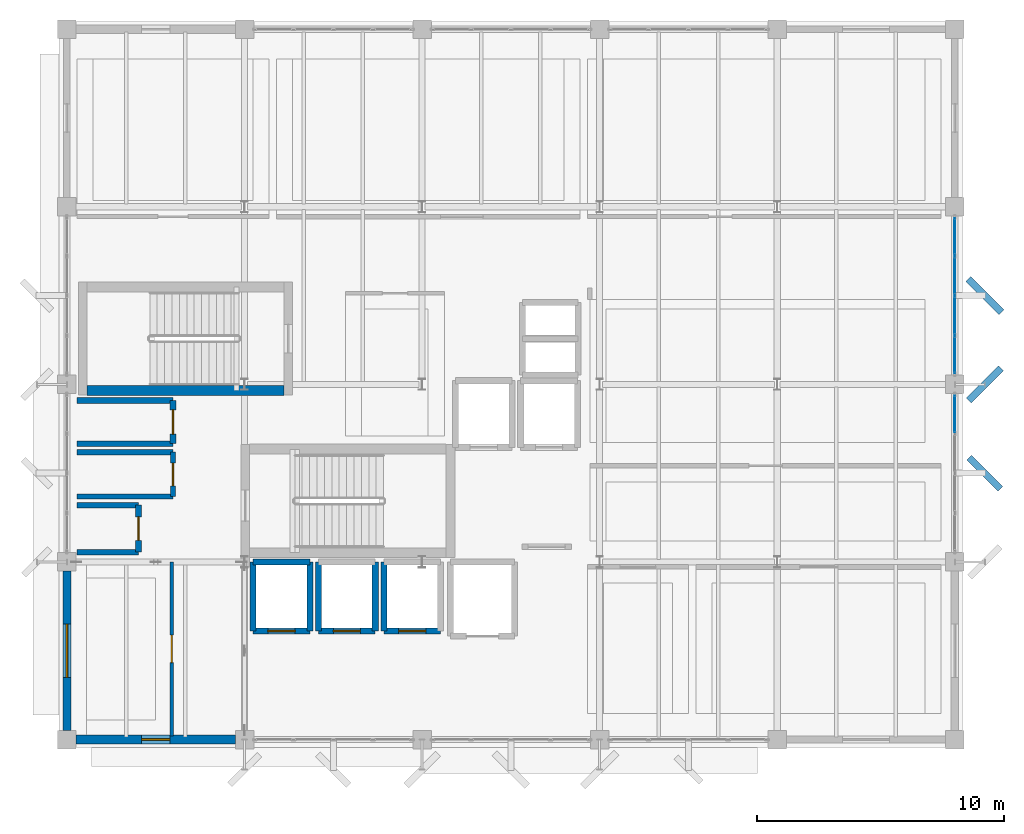
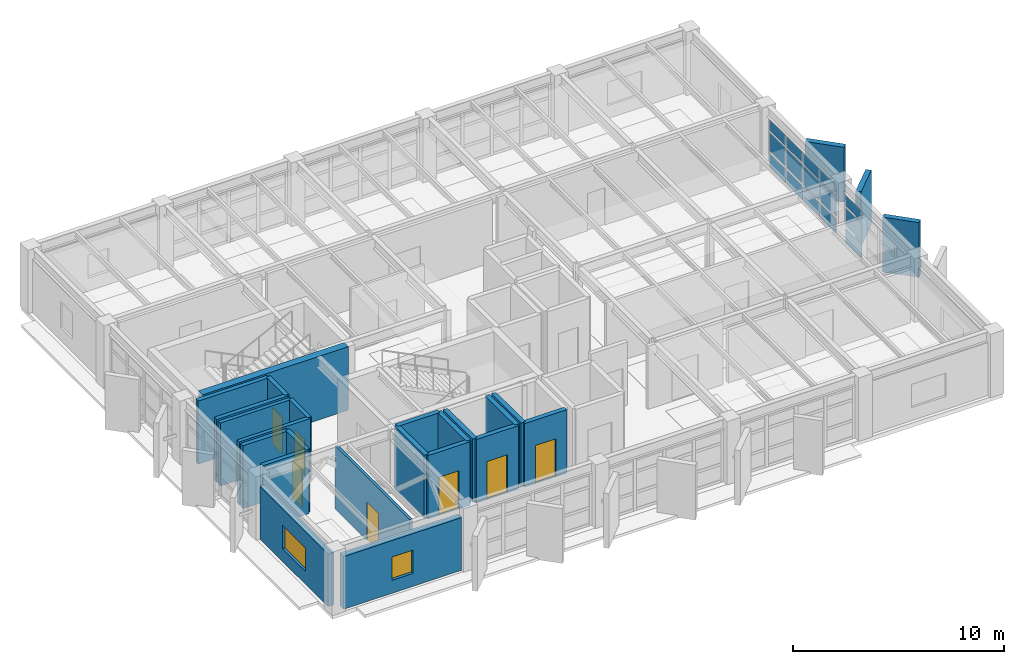
# One storey, part 16 of 24: 22 walls, 18 plates, 7 doors, 2 windows, 9 openings, 2 elements without a shape of their own.
"""IFC4 building model written with IfcOpenShell, lengths in metres."""

from ifc_helpers import new_model, si_unit, direction, frame, frame_2d, origin, origin_2d, place, context, subcontext, project, spatial, rectangle, extrude, material, layer, layer_set, type_object, element, fill, aggregate, save


model = new_model("IFC4")

# Units and contexts
model_context = context("Model", 3, precision=1e-05, world=origin(), true_north=direction((0.0, 1.0)))
body_context = subcontext(model_context, "Body", "Model", "MODEL_VIEW")
ifc_project = project(units=[si_unit("LENGTHUNIT", "METRE"), si_unit("AREAUNIT", "SQUARE_METRE"), si_unit("VOLUMEUNIT", "CUBIC_METRE"), si_unit("PLANEANGLEUNIT", "RADIAN"), si_unit("MASSUNIT", "GRAM", prefix="KILO")], contexts=[model_context])

# Site, building, storey
site_placement = place(None, origin())
site = spatial("IfcSite", under=ifc_project, at=site_placement, CompositionType="ELEMENT")
building_placement = place(site_placement, origin())
building = spatial("IfcBuilding", under=site, at=building_placement, Name="Kandorven Conservatory and Botanical Research Centre", CompositionType="ELEMENT")
storey_placement = place(building_placement, frame((0.0, 0.0, 21.0)))
storey = spatial("IfcBuildingStorey", under=building, at=storey_placement, Name="L05", CompositionType="ELEMENT", Elevation=21.0)

# Curtain wall, plates
ifc_material_1 = material(Name="Bronze anodised thermally broken aluminium", Category="aluminium")
ifc_layer_1 = layer(ifc_material_1, 0.179931640625)
ifc_layer_set_1 = layer_set([ifc_layer_1], Name="Bronze anodised thermally broken aluminium")
curtain_wall_type = type_object("IfcCurtainWallType", Name="CW_Unitised", PredefinedType="USERDEFINED", material=ifc_layer_set_1)
curtain_wall_1_placement = place(storey_placement, origin())
curtain_wall_1 = element("IfcCurtainWall", 1, at=curtain_wall_1_placement, inside=storey, type_object=curtain_wall_type, Name="Tower laboratory curtain wall CW-TWR-E-L05-2", ObjectType="UNITISED GLAZING", PredefinedType="USERDEFINED")
ifc_material_2 = material(Name="Double-glazed solar-control low-E glass", Category="glass")
ifc_layer_2 = layer(ifc_material_2, 0.028076171875)
ifc_layer_set_2 = layer_set([ifc_layer_2], Name="Double-glazed solar-control low-E glass")
plate_type_1 = type_object("IfcPlateType", Name="CW_Panel", PredefinedType="CURTAIN_PANEL", material=ifc_layer_set_2)
plate_1_placement = place(storey_placement, frame((42.0, 19.19873046875, 0.14990234375), z_axis=(0.0, 0.0, 1.0), x_axis=(0.0, 1.0, 0.0)))
plate_1 = element("IfcPlate", 2, at=plate_1_placement, type_object=plate_type_1, Name="CW-01 panel 4.1", PredefinedType="CURTAIN_PANEL", context=body_context, shape_type="SweptSolid", body=[
    extrude(rectangle(XDim=1.492431640625, YDim=0.028076171875, at=origin_2d()), origin(), (0.0, 0.0, 1.0), 0.824951171875),
])
plate_2_placement = place(storey_placement, frame((42.0, 19.19873046875, 1.125), z_axis=(0.0, 0.0, 1.0), x_axis=(0.0, 1.0, 0.0)))
plate_2 = element("IfcPlate", 3, at=plate_2_placement, type_object=plate_type_1, Name="CW-01 panel 4.2", PredefinedType="CURTAIN_PANEL", context=body_context, shape_type="SweptSolid", body=[
    extrude(rectangle(XDim=1.492431640625, YDim=0.028076171875, at=origin_2d()), origin(), (0.0, 0.0, 1.0), 1.050048828125),
])
plate_3_placement = place(storey_placement, frame((42.0, 19.19873046875, 2.3251953125), z_axis=(0.0, 0.0, 1.0), x_axis=(0.0, 1.0, 0.0)))
plate_3 = element("IfcPlate", 4, at=plate_3_placement, type_object=plate_type_1, Name="CW-01 panel 4.3", PredefinedType="CURTAIN_PANEL", context=body_context, shape_type="SweptSolid", body=[
    extrude(rectangle(XDim=1.492431640625, YDim=0.028076171875, at=origin_2d()), origin(), (0.0, 0.0, 1.0), 0.574951171875),
])
aggregate(curtain_wall_1, [plate_1, plate_2, plate_3])

curtain_wall_2_placement = place(storey_placement, origin())
curtain_wall_2 = element("IfcCurtainWall", 5, at=curtain_wall_2_placement, inside=storey, type_object=curtain_wall_type, Name="Tower laboratory curtain wall CW-TWR-E-L05-3", ObjectType="UNITISED GLAZING", PredefinedType="USERDEFINED")
plate_4_placement = place(storey_placement, frame((42.0, 21.601318359375, 0.14990234375), z_axis=(0.0, 0.0, 1.0), x_axis=(0.0, 1.0, 0.0)))
plate_4 = element("IfcPlate", 6, at=plate_4_placement, type_object=plate_type_1, Name="CW-01 panel 1.1", PredefinedType="CURTAIN_PANEL", context=body_context, shape_type="SweptSolid", body=[
    extrude(rectangle(XDim=1.492431640625, YDim=0.028076171875, at=origin_2d()), origin(), (0.0, 0.0, 1.0), 0.824951171875),
])
plate_5_placement = place(storey_placement, frame((42.0, 21.601318359375, 1.125), z_axis=(0.0, 0.0, 1.0), x_axis=(0.0, 1.0, 0.0)))
plate_5 = element("IfcPlate", 7, at=plate_5_placement, type_object=plate_type_1, Name="CW-01 panel 1.2", PredefinedType="CURTAIN_PANEL", context=body_context, shape_type="SweptSolid", body=[
    extrude(rectangle(XDim=1.492431640625, YDim=0.028076171875, at=origin_2d()), origin(), (0.0, 0.0, 1.0), 1.050048828125),
])
plate_6_placement = place(storey_placement, frame((42.0, 21.601318359375, 2.3251953125), z_axis=(0.0, 0.0, 1.0), x_axis=(0.0, 1.0, 0.0)))
plate_6 = element("IfcPlate", 8, at=plate_6_placement, type_object=plate_type_1, Name="CW-01 panel 1.3", PredefinedType="CURTAIN_PANEL", context=body_context, shape_type="SweptSolid", body=[
    extrude(rectangle(XDim=1.492431640625, YDim=0.028076171875, at=origin_2d()), origin(), (0.0, 0.0, 1.0), 0.574951171875),
])
plate_7_placement = place(storey_placement, frame((42.0, 23.19384765625, 0.14990234375), z_axis=(0.0, 0.0, 1.0), x_axis=(0.0, 1.0, 0.0)))
plate_7 = element("IfcPlate", 9, at=plate_7_placement, type_object=plate_type_1, Name="CW-01 panel 2.1", PredefinedType="CURTAIN_PANEL", context=body_context, shape_type="SweptSolid", body=[
    extrude(rectangle(XDim=1.532470703125, YDim=0.028076171875, at=origin_2d()), origin(), (0.0, 0.0, 1.0), 0.824951171875),
])
plate_8_placement = place(storey_placement, frame((42.0, 23.19384765625, 1.125), z_axis=(0.0, 0.0, 1.0), x_axis=(0.0, 1.0, 0.0)))
plate_8 = element("IfcPlate", 10, at=plate_8_placement, type_object=plate_type_1, Name="CW-01 panel 2.2", PredefinedType="CURTAIN_PANEL", context=body_context, shape_type="SweptSolid", body=[
    extrude(rectangle(XDim=1.532470703125, YDim=0.028076171875, at=origin_2d()), origin(), (0.0, 0.0, 1.0), 1.050048828125),
])
plate_9_placement = place(storey_placement, frame((42.0, 23.19384765625, 2.3251953125), z_axis=(0.0, 0.0, 1.0), x_axis=(0.0, 1.0, 0.0)))
plate_9 = element("IfcPlate", 11, at=plate_9_placement, type_object=plate_type_1, Name="CW-01 panel 2.3", PredefinedType="CURTAIN_PANEL", context=body_context, shape_type="SweptSolid", body=[
    extrude(rectangle(XDim=1.532470703125, YDim=0.028076171875, at=origin_2d()), origin(), (0.0, 0.0, 1.0), 0.574951171875),
])
plate_10_placement = place(storey_placement, frame((42.0, 24.80615234375, 0.14990234375), z_axis=(0.0, 0.0, 1.0), x_axis=(0.0, 1.0, 0.0)))
plate_10 = element("IfcPlate", 12, at=plate_10_placement, type_object=plate_type_1, Name="CW-01 panel 3.1", PredefinedType="CURTAIN_PANEL", context=body_context, shape_type="SweptSolid", body=[
    extrude(rectangle(XDim=1.532470703125, YDim=0.028076171875, at=origin_2d()), origin(), (0.0, 0.0, 1.0), 0.824951171875),
])
plate_11_placement = place(storey_placement, frame((42.0, 24.80615234375, 1.125), z_axis=(0.0, 0.0, 1.0), x_axis=(0.0, 1.0, 0.0)))
plate_11 = element("IfcPlate", 13, at=plate_11_placement, type_object=plate_type_1, Name="CW-01 panel 3.2", PredefinedType="CURTAIN_PANEL", context=body_context, shape_type="SweptSolid", body=[
    extrude(rectangle(XDim=1.532470703125, YDim=0.028076171875, at=origin_2d()), origin(), (0.0, 0.0, 1.0), 1.050048828125),
])
plate_12_placement = place(storey_placement, frame((42.0, 24.80615234375, 2.3251953125), z_axis=(0.0, 0.0, 1.0), x_axis=(0.0, 1.0, 0.0)))
plate_12 = element("IfcPlate", 14, at=plate_12_placement, type_object=plate_type_1, Name="CW-01 panel 3.3", PredefinedType="CURTAIN_PANEL", context=body_context, shape_type="SweptSolid", body=[
    extrude(rectangle(XDim=1.532470703125, YDim=0.028076171875, at=origin_2d()), origin(), (0.0, 0.0, 1.0), 0.574951171875),
])
plate_13_placement = place(storey_placement, frame((42.0, 26.398681640625, 0.14990234375), z_axis=(0.0, 0.0, 1.0), x_axis=(0.0, 1.0, 0.0)))
plate_13 = element("IfcPlate", 15, at=plate_13_placement, type_object=plate_type_1, Name="CW-01 panel 4.1", PredefinedType="CURTAIN_PANEL", context=body_context, shape_type="SweptSolid", body=[
    extrude(rectangle(XDim=1.492431640625, YDim=0.028076171875, at=origin_2d()), origin(), (0.0, 0.0, 1.0), 0.824951171875),
])
plate_14_placement = place(storey_placement, frame((42.0, 26.398681640625, 1.125), z_axis=(0.0, 0.0, 1.0), x_axis=(0.0, 1.0, 0.0)))
plate_14 = element("IfcPlate", 16, at=plate_14_placement, type_object=plate_type_1, Name="CW-01 panel 4.2", PredefinedType="CURTAIN_PANEL", context=body_context, shape_type="SweptSolid", body=[
    extrude(rectangle(XDim=1.492431640625, YDim=0.028076171875, at=origin_2d()), origin(), (0.0, 0.0, 1.0), 1.050048828125),
])
plate_15_placement = place(storey_placement, frame((42.0, 26.398681640625, 2.3251953125), z_axis=(0.0, 0.0, 1.0), x_axis=(0.0, 1.0, 0.0)))
plate_15 = element("IfcPlate", 17, at=plate_15_placement, type_object=plate_type_1, Name="CW-01 panel 4.3", PredefinedType="CURTAIN_PANEL", context=body_context, shape_type="SweptSolid", body=[
    extrude(rectangle(XDim=1.492431640625, YDim=0.028076171875, at=origin_2d()), origin(), (0.0, 0.0, 1.0), 0.574951171875),
])
aggregate(curtain_wall_2, [plate_4, plate_5, plate_6, plate_7, plate_8, plate_9, plate_10, plate_11, plate_12, plate_13, plate_14, plate_15])

# Plates
ifc_material_3 = material(Name="Precast concrete C40/50 (M50)", Category="concrete")
ifc_layer_3 = layer(ifc_material_3, 0.27197265625)
ifc_layer_set_3 = layer_set([ifc_layer_3], Name="Precast concrete C40/50 (M50)")
plate_type_2 = type_object("IfcPlateType", Name="Fin_BF-17", PredefinedType="USERDEFINED", material=ifc_layer_set_3)
plate_16_placement = place(storey_placement, frame((43.219970703125, 16.800048828125, -0.119873046875), z_axis=(0.0, 0.0, 1.0), x_axis=(-0.707106781187, 0.707106781187, 0.0)))
element("IfcPlate", 18, at=plate_16_placement, inside=storey, type_object=plate_type_2, Name="Sculpted board-marked concrete brise-soleil fin BF-17", ObjectType="SOLAR FIN", PredefinedType="USERDEFINED", context=body_context, shape_type="SweptSolid", body=[
    extrude(rectangle(XDim=1.7900390625, YDim=0.27197265625, at=origin_2d()), origin(), (0.0, 0.0, 1.0), 3.169921875),
])
ifc_material_4 = material(Name="Precast concrete C40/50 (M50)", Category="concrete")
ifc_layer_4 = layer(ifc_material_4, 0.27587890625)
ifc_layer_set_4 = layer_set([ifc_layer_4], Name="Precast concrete C40/50 (M50)")
plate_type_3 = type_object("IfcPlateType", Name="Fin_BF-18", PredefinedType="USERDEFINED", material=ifc_layer_set_4)
plate_17_placement = place(storey_placement, frame((43.219970703125, 20.39990234375, -0.119873046875), z_axis=(0.0, 0.0, 1.0), x_axis=(0.707106781187, 0.707106781187, 0.0)))
element("IfcPlate", 19, at=plate_17_placement, inside=storey, type_object=plate_type_3, Name="Sculpted board-marked concrete brise-soleil fin BF-18", ObjectType="SOLAR FIN", PredefinedType="USERDEFINED", context=body_context, shape_type="SweptSolid", body=[
    extrude(rectangle(XDim=1.85009765625, YDim=0.27587890625, at=origin_2d()), origin(), (0.0, 0.0, 1.0), 3.169921875),
])
ifc_material_5 = material(Name="Precast concrete C40/50 (M50)", Category="concrete")
ifc_layer_5 = layer(ifc_material_5, 0.281982421875)
ifc_layer_set_5 = layer_set([ifc_layer_5], Name="Precast concrete C40/50 (M50)")
plate_type_4 = type_object("IfcPlateType", Name="Fin_BF-19", PredefinedType="USERDEFINED", material=ifc_layer_set_5)
plate_18_placement = place(storey_placement, frame((43.219970703125, 24.0, -0.119873046875), z_axis=(0.0, 0.0, 1.0), x_axis=(-0.707106781187, 0.707106781187, 0.0)))
element("IfcPlate", 20, at=plate_18_placement, inside=storey, type_object=plate_type_4, Name="Sculpted board-marked concrete brise-soleil fin BF-19", ObjectType="SOLAR FIN", PredefinedType="USERDEFINED", context=body_context, shape_type="SweptSolid", body=[
    extrude(rectangle(XDim=1.909912109375, YDim=0.281982421875, at=origin_2d()), origin(), (0.0, 0.0, 1.0), 3.169921875),
])

# Wall
ifc_material_6 = material(Name="Concrete C40/50 (M50)", Category="concrete")
ifc_layer_6 = layer(ifc_material_6, 0.39990234375)
ifc_layer_set_6 = layer_set([ifc_layer_6], Name="Concrete C40/50 (M50)")
wall_type_1 = type_object("IfcWallType", Name="Wall_CW-RC-1", PredefinedType="SHEAR", material=ifc_layer_set_6)
wall_1_placement = place(storey_placement, frame((14.800048828125, 20.155029296875, 0.0), z_axis=(0.0, 0.0, 1.0), x_axis=(-1.0, 0.0, 0.0)))
element("IfcWall", 21, at=wall_1_placement, inside=storey, type_object=wall_type_1, Name="Core stair shear wall CW-RC-1 ST-T2 L05 side B", PredefinedType="SHEAR", context=body_context, shape_type="SweptSolid", body=[
    extrude(rectangle(XDim=7.97998046875, YDim=0.39990234375, at=frame_2d((3.989990234375, 0.0))), origin(), (0.0, 0.0, 1.0), 3.669921875),
])

# Wall, opening, door
ifc_material_7 = material(Name="Concrete C40/50 (M50)", Category="concrete")
ifc_layer_7 = layer(ifc_material_7, 0.35009765625)
ifc_layer_set_7 = layer_set([ifc_layer_7], Name="Concrete C40/50 (M50)")
wall_type_2 = type_object("IfcWallType", Name="Wall_CW-RC-2", PredefinedType="SHEAR", material=ifc_layer_set_7)
wall_2_placement = place(storey_placement, frame((13.550048828125, 10.39990234375, 0.0), z_axis=(0.0, 0.0, 1.0), x_axis=(1.0, 0.0, 0.0)))
wall_2 = element("IfcWall", 22, at=wall_2_placement, inside=storey, type_object=wall_type_2, Name="Lift shaft wall PL-1 L05 S", PredefinedType="SHEAR", context=body_context, shape_type="SweptSolid", body=[
    extrude(rectangle(XDim=2.300048828125, YDim=0.25, at=frame_2d((1.14990234375, 0.0))), origin(), (0.0, 0.0, 1.0), 3.669921875),
])
opening_1_placement = place(wall_2_placement, frame((0.60009765625, 0.0, 0.0)))
opening_1 = element("IfcOpeningElement", 23, at=opening_1_placement, cuts=wall_2, Name="Opening LD-01", PredefinedType="OPENING", context=body_context, shape_type="SweptSolid", body=[
    extrude(rectangle(XDim=1.10009765625, YDim=2.199951171875, at=frame_2d((0.550048828125, 1.10009765625))), frame((0.0, 0.135009765625, 0.0), z_axis=(0.0, -1.0, 0.0), x_axis=(1.0, 0.0, 0.0)), (0.0, 0.0, 1.0), 0.27001953125),
])
ifc_material_8 = material(Name="Anodised aluminium sliding landing door", Category="aluminium")
door_type_1 = type_object("IfcDoorType", Name="Door_LD-01", OperationType="DOUBLE_DOOR_SLIDING", PredefinedType="DOOR", material=ifc_material_8)
door_1_placement = place(opening_1_placement, origin())
door_1 = element("IfcDoor", 24, at=door_1_placement, inside=storey, type_object=door_type_1, Name="Lift landing sliding door LD-01 (PL-1 L05)", OperationType="DOUBLE_DOOR_SLIDING", OverallHeight=2.199951171875, OverallWidth=1.10009765625, PredefinedType="DOOR", context=body_context, shape_type="SweptSolid", body=[
    extrude(rectangle(XDim=1.10009765625, YDim=2.199951171875, at=frame_2d((0.550048828125, 1.10009765625))), frame((0.0, 0.02490234375, 0.0), z_axis=(0.0, -1.0, 0.0), x_axis=(1.0, 0.0, 0.0)), (0.0, 0.0, 1.0), 0.050048828125),
])
fill(opening_1, door_1)

# Walls
wall_3_placement = place(storey_placement, frame((13.550048828125, 13.199951171875, 0.0), z_axis=(0.0, 0.0, 1.0), x_axis=(1.0, 0.0, 0.0)))
element("IfcWall", 25, at=wall_3_placement, inside=storey, type_object=wall_type_2, Name="Lift shaft wall PL-1 L05 N", PredefinedType="SHEAR", context=body_context, shape_type="SweptSolid", body=[
    extrude(rectangle(XDim=2.300048828125, YDim=0.25, at=frame_2d((1.14990234375, 0.0))), origin(), (0.0, 0.0, 1.0), 3.669921875),
])
for number, where, z_axis, x_axis, name in (
    (26, (13.550048828125, 10.39990234375, 0.0), (0.0, 0.0, 1.0), (0.0, 1.0, 0.0), "Lift shaft wall PL-1 L05 W"),
    (27, (15.85009765625, 10.39990234375, 0.0), (0.0, 0.0, 1.0), (0.0, 1.0, 0.0), "Lift shaft wall PL-1 L05 E"),
):
    element("IfcWall", number, at=place(storey_placement, frame(where, z_axis=z_axis, x_axis=x_axis)), inside=storey, type_object=wall_type_2, Name=name, PredefinedType="SHEAR", context=body_context, shape_type="SweptSolid", body=[
        extrude(rectangle(XDim=2.800048828125, YDim=0.25, at=frame_2d((1.39990234375, 0.0))), origin(), (0.0, 0.0, 1.0), 3.669921875),
    ])

# Wall, opening, door
wall_4_placement = place(storey_placement, frame((16.199951171875, 10.39990234375, 0.0), z_axis=(0.0, 0.0, 1.0), x_axis=(1.0, 0.0, 0.0)))
wall_4 = element("IfcWall", 28, at=wall_4_placement, inside=storey, type_object=wall_type_2, Name="Lift shaft wall PL-2 L05 S", PredefinedType="SHEAR", context=body_context, shape_type="SweptSolid", body=[
    extrude(rectangle(XDim=2.300048828125, YDim=0.25, at=frame_2d((1.14990234375, 0.0))), origin(), (0.0, 0.0, 1.0), 3.669921875),
])
opening_2_placement = place(wall_4_placement, frame((0.60009765625, 0.0, 0.0)))
opening_2 = element("IfcOpeningElement", 29, at=opening_2_placement, cuts=wall_4, Name="Opening LD-01", PredefinedType="OPENING", context=body_context, shape_type="SweptSolid", body=[
    extrude(rectangle(XDim=1.10009765625, YDim=2.199951171875, at=frame_2d((0.550048828125, 1.10009765625))), frame((0.0, 0.135009765625, 0.0), z_axis=(0.0, -1.0, 0.0), x_axis=(1.0, 0.0, 0.0)), (0.0, 0.0, 1.0), 0.27001953125),
])
door_2_placement = place(opening_2_placement, origin())
door_2 = element("IfcDoor", 30, at=door_2_placement, inside=storey, type_object=door_type_1, Name="Lift landing sliding door LD-01 (PL-2 L05)", OperationType="DOUBLE_DOOR_SLIDING", OverallHeight=2.199951171875, OverallWidth=1.10009765625, PredefinedType="DOOR", context=body_context, shape_type="SweptSolid", body=[
    extrude(rectangle(XDim=1.10009765625, YDim=2.199951171875, at=frame_2d((0.550048828125, 1.10009765625))), frame((0.0, 0.02490234375, 0.0), z_axis=(0.0, -1.0, 0.0), x_axis=(1.0, 0.0, 0.0)), (0.0, 0.0, 1.0), 0.050048828125),
])
fill(opening_2, door_2)

# Walls
for number, where, z_axis, x_axis, name in (
    (31, (16.199951171875, 10.39990234375, 0.0), (0.0, 0.0, 1.0), (0.0, 1.0, 0.0), "Lift shaft wall PL-2 L05 W"),
    (32, (18.5, 10.39990234375, 0.0), (0.0, 0.0, 1.0), (0.0, 1.0, 0.0), "Lift shaft wall PL-2 L05 E"),
):
    element("IfcWall", number, at=place(storey_placement, frame(where, z_axis=z_axis, x_axis=x_axis)), inside=storey, type_object=wall_type_2, Name=name, PredefinedType="SHEAR", context=body_context, shape_type="SweptSolid", body=[
        extrude(rectangle(XDim=2.800048828125, YDim=0.25, at=frame_2d((1.39990234375, 0.0))), origin(), (0.0, 0.0, 1.0), 3.669921875),
    ])

# Wall, opening, door
wall_5_placement = place(storey_placement, frame((18.85009765625, 10.39990234375, 0.0), z_axis=(0.0, 0.0, 1.0), x_axis=(1.0, 0.0, 0.0)))
wall_5 = element("IfcWall", 33, at=wall_5_placement, inside=storey, type_object=wall_type_2, Name="Lift shaft wall PL-3 L05 S", PredefinedType="SHEAR", context=body_context, shape_type="SweptSolid", body=[
    extrude(rectangle(XDim=2.2998046875, YDim=0.25, at=frame_2d((1.14990234375, 0.0))), origin(), (0.0, 0.0, 1.0), 3.669921875),
])
opening_3_placement = place(wall_5_placement, frame((0.60009765625, 0.0, 0.0)))
opening_3 = element("IfcOpeningElement", 34, at=opening_3_placement, cuts=wall_5, Name="Opening LD-01", PredefinedType="OPENING", context=body_context, shape_type="SweptSolid", body=[
    extrude(rectangle(XDim=1.10009765625, YDim=2.199951171875, at=frame_2d((0.550048828125, 1.10009765625))), frame((0.0, 0.135009765625, 0.0), z_axis=(0.0, -1.0, 0.0), x_axis=(1.0, 0.0, 0.0)), (0.0, 0.0, 1.0), 0.27001953125),
])
door_3_placement = place(opening_3_placement, origin())
door_3 = element("IfcDoor", 35, at=door_3_placement, inside=storey, type_object=door_type_1, Name="Lift landing sliding door LD-01 (PL-3 L05)", OperationType="DOUBLE_DOOR_SLIDING", OverallHeight=2.199951171875, OverallWidth=1.10009765625, PredefinedType="DOOR", context=body_context, shape_type="SweptSolid", body=[
    extrude(rectangle(XDim=1.10009765625, YDim=2.199951171875, at=frame_2d((0.550048828125, 1.10009765625))), frame((0.0, 0.02490234375, 0.0), z_axis=(0.0, -1.0, 0.0), x_axis=(1.0, 0.0, 0.0)), (0.0, 0.0, 1.0), 0.050048828125),
])
fill(opening_3, door_3)

# Wall
wall_6_placement = place(storey_placement, frame((18.85009765625, 10.39990234375, 0.0), z_axis=(0.0, 0.0, 1.0), x_axis=(0.0, 1.0, 0.0)))
element("IfcWall", 36, at=wall_6_placement, inside=storey, type_object=wall_type_2, Name="Lift shaft wall PL-3 L05 W", PredefinedType="SHEAR", context=body_context, shape_type="SweptSolid", body=[
    extrude(rectangle(XDim=2.800048828125, YDim=0.25, at=frame_2d((1.39990234375, 0.0))), origin(), (0.0, 0.0, 1.0), 3.669921875),
])

# Wall, opening, window
ifc_material_9 = material(Name="Concrete C40/50 (M50)", Category="concrete")
ifc_layer_8 = layer(ifc_material_9, 0.360107421875)
ifc_layer_set_8 = layer_set([ifc_layer_8], Name="Concrete C40/50 (M50)")
wall_type_3 = type_object("IfcWallType", Name="Wall_EW-01", PredefinedType="STANDARD", material=ifc_layer_set_8)
wall_7_placement = place(storey_placement, frame((6.375, 6.0, 0.0), z_axis=(0.0, 0.0, 1.0), x_axis=(1.0, 0.0, 0.0)))
wall_7 = element("IfcWall", 37, at=wall_7_placement, inside=storey, type_object=wall_type_3, Name="Tower concrete facade wall EW-01 S L05", PredefinedType="STANDARD", context=body_context, shape_type="SweptSolid", body=[
    extrude(rectangle(XDim=6.449951171875, YDim=0.360107421875, at=frame_2d((3.22509765625, 0.0))), origin(), (0.0, 0.0, 1.0), 3.050048828125),
])
opening_4_placement = place(wall_7_placement, frame((2.64990234375, 0.0, 0.75)))
opening_4 = element("IfcOpeningElement", 38, at=opening_4_placement, cuts=wall_7, Name="Opening W-31", PredefinedType="OPENING", context=body_context, shape_type="SweptSolid", body=[
    extrude(rectangle(XDim=1.14990234375, YDim=1.35009765625, at=frame_2d((0.574951171875, 0.675048828125))), frame((0.0, 0.18994140625, 0.0), z_axis=(0.0, -1.0, 0.0), x_axis=(1.0, 0.0, 0.0)), (0.0, 0.0, 1.0), 0.380126953125),
])
ifc_material_10 = material(Name="Double-glazed solar-control low-E glass", Category="glass")
window_type_1 = type_object("IfcWindowType", Name="Win_W-31", PartitioningType="DOUBLE_PANEL_VERTICAL", PredefinedType="WINDOW", material=ifc_material_10)
window_1_placement = place(opening_4_placement, origin())
window_1 = element("IfcWindow", 39, at=window_1_placement, inside=storey, type_object=window_type_1, Name="Tower recessed solar window W-31", OverallHeight=1.35009765625, OverallWidth=1.14990234375, PartitioningType="SINGLE_PANEL", PredefinedType="WINDOW", context=body_context, shape_type="SweptSolid", body=[
    extrude(rectangle(XDim=1.14990234375, YDim=1.35009765625, at=frame_2d((0.574951171875, 0.675048828125))), frame((0.0, 0.030029296875, 0.0), z_axis=(0.0, -1.0, 0.0), x_axis=(1.0, 0.0, 0.0)), (0.0, 0.0, 1.0), 0.06005859375),
])
fill(opening_4, window_1)

ifc_material_11 = material(Name="Concrete C32/40 (M40)", Category="concrete")
ifc_layer_9 = layer(ifc_material_11, 0.320068359375)
ifc_layer_set_9 = layer_set([ifc_layer_9], Name="Concrete C32/40 (M40)")
wall_type_4 = type_object("IfcWallType", Name="Wall_EW-03", PredefinedType="STANDARD", material=ifc_layer_set_9)
wall_8_placement = place(storey_placement, frame((6.0, 6.375, 0.0), z_axis=(0.0, 0.0, 1.0), x_axis=(0.0, 1.0, 0.0)))
wall_8 = element("IfcWall", 40, at=wall_8_placement, inside=storey, type_object=wall_type_4, Name="Tower concrete facade wall EW-03 W L05", PredefinedType="STANDARD", context=body_context, shape_type="SweptSolid", body=[
    extrude(rectangle(XDim=6.449951171875, YDim=0.320068359375, at=frame_2d((3.22509765625, 0.0))), origin(), (0.0, 0.0, 1.0), 3.050048828125),
])
opening_5_placement = place(wall_8_placement, frame((2.14990234375, 0.0, 0.75)))
opening_5 = element("IfcOpeningElement", 41, at=opening_5_placement, cuts=wall_8, Name="Opening W-36", PredefinedType="OPENING", context=body_context, shape_type="SweptSolid", body=[
    extrude(rectangle(XDim=2.14990234375, YDim=1.35009765625, at=frame_2d((1.074951171875, 0.675048828125))), frame((0.0, 0.169921875, 0.0), z_axis=(0.0, -1.0, 0.0), x_axis=(1.0, 0.0, 0.0)), (0.0, 0.0, 1.0), 0.340087890625),
])
ifc_material_12 = material(Name="Double-glazed solar-control low-E glass", Category="glass")
window_type_2 = type_object("IfcWindowType", Name="Win_W-36", PartitioningType="DOUBLE_PANEL_VERTICAL", PredefinedType="WINDOW", material=ifc_material_12)
window_2_placement = place(opening_5_placement, origin())
window_2 = element("IfcWindow", 42, at=window_2_placement, inside=storey, type_object=window_type_2, Name="Tower recessed solar window W-36", OverallHeight=1.35009765625, OverallWidth=2.14990234375, PartitioningType="SINGLE_PANEL", PredefinedType="WINDOW", context=body_context, shape_type="SweptSolid", body=[
    extrude(rectangle(XDim=2.14990234375, YDim=1.35009765625, at=frame_2d((1.074951171875, 0.675048828125))), frame((0.0, 0.030029296875, 0.0), z_axis=(0.0, -1.0, 0.0), x_axis=(1.0, 0.0, 0.0)), (0.0, 0.0, 1.0), 0.06005859375),
])
fill(opening_5, window_2)

# Wall, opening, door
ifc_material_13 = material(Name="Fire-rated acoustic gypsum board partition", Category="gypsum")
ifc_layer_10 = layer(ifc_material_13, 0.14599609375)
ifc_layer_set_10 = layer_set([ifc_layer_10], Name="Fire-rated acoustic gypsum board partition")
wall_type_5 = type_object("IfcWallType", Name="Wall_IW-15", PredefinedType="PARTITIONING", material=ifc_layer_set_10)
wall_9_placement = place(storey_placement, frame((10.25, 6.14990234375, 0.0), z_axis=(0.0, 0.0, 1.0), x_axis=(0.0, 1.0, 0.0)))
wall_9 = element("IfcWall", 43, at=wall_9_placement, inside=storey, type_object=wall_type_5, Name="Interior partition wall IW-15 (Botanical Chemotaxonomy Research Laboratory L05)", PredefinedType="PARTITIONING", context=body_context, shape_type="SweptSolid", body=[
    extrude(rectangle(XDim=7.050048828125, YDim=0.14599609375, at=frame_2d((3.52490234375, 0.0))), origin(), (0.0, 0.0, 1.0), 3.64990234375),
])
opening_6_placement = place(wall_9_placement, frame((2.965087890625, 0.0, 0.0)))
opening_6 = element("IfcOpeningElement", 44, at=opening_6_placement, cuts=wall_9, Name="Opening D-22", PredefinedType="OPENING", context=body_context, shape_type="SweptSolid", body=[
    extrude(rectangle(XDim=1.1201171875, YDim=2.219970703125, at=frame_2d((0.56005859375, 1.10986328125))), frame((0.0, 0.0830078125, 0.0), z_axis=(0.0, -1.0, 0.0), x_axis=(1.0, 0.0, 0.0)), (0.0, 0.0, 1.0), 0.166015625),
])
ifc_material_14 = material(Name="Solid core acoustic teak-veneered timber leaf", Category="wood")
door_type_2 = type_object("IfcDoorType", Name="Door_D-22", OperationType="NOTDEFINED", PredefinedType="DOOR", material=ifc_material_14)
door_4_placement = place(opening_6_placement, frame((1.1201171875, 0.0, 0.0), z_axis=(0.0, 0.0, 1.0), x_axis=(-1.0, 0.0, 0.0)))
door_4 = element("IfcDoor", 45, at=door_4_placement, inside=storey, type_object=door_type_2, Name="Interior door D-22 to Botanical Chemotaxonomy Research Laboratory L05", OperationType="SINGLE_SWING_RIGHT", OverallHeight=2.219970703125, OverallWidth=1.1201171875, PredefinedType="DOOR", context=body_context, shape_type="SweptSolid", body=[
    extrude(rectangle(XDim=1.1201171875, YDim=2.219970703125, at=frame_2d((0.56005859375, 1.10986328125))), frame((0.0, 0.02490234375, 0.0), z_axis=(0.0, -1.0, 0.0), x_axis=(1.0, 0.0, 0.0)), (0.0, 0.0, 1.0), 0.050048828125),
])
fill(opening_6, door_4)

ifc_material_15 = material(Name="Autoclaved aerated concrete blockwork masonry", Category="masonry")
ifc_layer_11 = layer(ifc_material_15, 0.22998046875)
ifc_layer_set_11 = layer_set([ifc_layer_11], Name="Autoclaved aerated concrete blockwork masonry")
wall_type_6 = type_object("IfcWallType", Name="Wall_PW-PL-1", PredefinedType="PLUMBINGWALL", material=ifc_layer_set_11)
wall_10_placement = place(storey_placement, frame((8.89990234375, 13.60009765625, 0.0), z_axis=(0.0, 0.0, 1.0), x_axis=(0.0, 1.0, 0.0)))
wall_10 = element("IfcWall", 46, at=wall_10_placement, inside=storey, type_object=wall_type_6, Name="Interior partition wall PW-PL-1 (Accessible WC L05)", PredefinedType="PLUMBINGWALL", context=body_context, shape_type="SweptSolid", body=[
    extrude(rectangle(XDim=1.89990234375, YDim=0.22998046875, at=frame_2d((0.949951171875, 0.0))), origin(), (0.0, 0.0, 1.0), 3.64990234375),
])
opening_7_placement = place(wall_10_placement, frame((0.47509765625, 0.0, 0.0)))
opening_7 = element("IfcOpeningElement", 47, at=opening_7_placement, cuts=wall_10, Name="Opening D-01", PredefinedType="OPENING", context=body_context, shape_type="SweptSolid", body=[
    extrude(rectangle(XDim=0.949951171875, YDim=2.14990234375, at=frame_2d((0.47509765625, 1.074951171875))), frame((0.0, 0.125, 0.0), z_axis=(0.0, -1.0, 0.0), x_axis=(1.0, 0.0, 0.0)), (0.0, 0.0, 1.0), 0.25),
])
ifc_material_16 = material(Name="Solid core acoustic teak-veneered timber leaf", Category="wood")
door_type_3 = type_object("IfcDoorType", Name="Door_D-01", OperationType="NOTDEFINED", PredefinedType="DOOR", material=ifc_material_16)
door_5_placement = place(opening_7_placement, origin())
door_5 = element("IfcDoor", 48, at=door_5_placement, inside=storey, type_object=door_type_3, Name="Interior door D-01 to Accessible WC L05", OperationType="SINGLE_SWING_RIGHT", OverallHeight=2.14990234375, OverallWidth=0.949951171875, PredefinedType="DOOR", context=body_context, shape_type="SweptSolid", body=[
    extrude(rectangle(XDim=0.949951171875, YDim=2.14990234375, at=frame_2d((0.47509765625, 1.074951171875))), frame((0.0, 0.02490234375, 0.0), z_axis=(0.0, -1.0, 0.0), x_axis=(1.0, 0.0, 0.0)), (0.0, 0.0, 1.0), 0.050048828125),
])
fill(opening_7, door_5)

# Walls
for number, where, z_axis, x_axis, name in (
    (49, (6.39990234375, 13.60009765625, 0.0), (0.0, 0.0, 1.0), (1.0, 0.0, 0.0), "Sanitary enclosure wall PW-PL-1 (Accessible WC L05 S)"),
    (50, (6.39990234375, 15.5, 0.0), (0.0, 0.0, 1.0), (1.0, 0.0, 0.0), "Sanitary enclosure wall PW-PL-1 (Accessible WC L05 N)"),
):
    element("IfcWall", number, at=place(storey_placement, frame(where, z_axis=z_axis, x_axis=x_axis)), inside=storey, type_object=wall_type_6, Name=name, PredefinedType="PLUMBINGWALL", context=body_context, shape_type="SweptSolid", body=[
        extrude(rectangle(XDim=2.5, YDim=0.22998046875, at=frame_2d((1.25, 0.0))), origin(), (0.0, 0.0, 1.0), 3.64990234375),
    ])

# Wall, opening, door
wall_11_placement = place(storey_placement, frame((10.300048828125, 18.0, 0.0), z_axis=(0.0, 0.0, 1.0), x_axis=(0.0, 1.0, 0.0)))
wall_11 = element("IfcWall", 51, at=wall_11_placement, inside=storey, type_object=wall_type_6, Name="Interior partition wall PW-PL-1 (Staff Male WC L05)", PredefinedType="PLUMBINGWALL", context=body_context, shape_type="SweptSolid", body=[
    extrude(rectangle(XDim=1.75, YDim=0.22998046875, at=frame_2d((0.875, 0.0))), origin(), (0.0, 0.0, 1.0), 3.64990234375),
])
opening_8_placement = place(wall_11_placement, frame((0.385009765625, 0.0, 0.0)))
opening_8 = element("IfcOpeningElement", 52, at=opening_8_placement, cuts=wall_11, Name="Opening D-12", PredefinedType="OPENING", context=body_context, shape_type="SweptSolid", body=[
    extrude(rectangle(XDim=0.97998046875, YDim=2.10009765625, at=frame_2d((0.489990234375, 1.050048828125))), frame((0.0, 0.125, 0.0), z_axis=(0.0, -1.0, 0.0), x_axis=(1.0, 0.0, 0.0)), (0.0, 0.0, 1.0), 0.25),
])
ifc_material_17 = material(Name="Solid core acoustic teak-veneered timber leaf", Category="wood")
door_type_4 = type_object("IfcDoorType", Name="Door_D-12", OperationType="NOTDEFINED", PredefinedType="DOOR", material=ifc_material_17)
door_6_placement = place(opening_8_placement, origin())
door_6 = element("IfcDoor", 53, at=door_6_placement, inside=storey, type_object=door_type_4, Name="Interior door D-12 to Staff Male WC L05", OperationType="SINGLE_SWING_RIGHT", OverallHeight=2.10009765625, OverallWidth=0.97998046875, PredefinedType="DOOR", context=body_context, shape_type="SweptSolid", body=[
    extrude(rectangle(XDim=0.97998046875, YDim=2.10009765625, at=frame_2d((0.489990234375, 1.050048828125))), frame((0.0, 0.02490234375, 0.0), z_axis=(0.0, -1.0, 0.0), x_axis=(1.0, 0.0, 0.0)), (0.0, 0.0, 1.0), 0.050048828125),
])
fill(opening_8, door_6)

# Walls
for number, where, z_axis, x_axis, name in (
    (54, (6.39990234375, 18.0, 0.0), (0.0, 0.0, 1.0), (1.0, 0.0, 0.0), "Sanitary enclosure wall PW-PL-1 (Staff Male WC L05 S)"),
    (55, (6.39990234375, 19.75, 0.0), (0.0, 0.0, 1.0), (1.0, 0.0, 0.0), "Sanitary enclosure wall PW-PL-1 (Staff Male WC L05 N)"),
):
    element("IfcWall", number, at=place(storey_placement, frame(where, z_axis=z_axis, x_axis=x_axis)), inside=storey, type_object=wall_type_6, Name=name, PredefinedType="PLUMBINGWALL", context=body_context, shape_type="SweptSolid", body=[
        extrude(rectangle(XDim=3.900146484375, YDim=0.22998046875, at=frame_2d((1.9501953125, 0.0))), origin(), (0.0, 0.0, 1.0), 3.64990234375),
    ])

# Wall, opening, door
ifc_material_18 = material(Name="Autoclaved aerated concrete blockwork masonry", Category="masonry")
ifc_layer_12 = layer(ifc_material_18, 0.205078125)
ifc_layer_set_12 = layer_set([ifc_layer_12], Name="Autoclaved aerated concrete blockwork masonry")
wall_type_7 = type_object("IfcWallType", Name="Wall_PW-PL-2", PredefinedType="PLUMBINGWALL", material=ifc_layer_set_12)
wall_12_placement = place(storey_placement, frame((10.300048828125, 15.85009765625, 0.0), z_axis=(0.0, 0.0, 1.0), x_axis=(0.0, 1.0, 0.0)))
wall_12 = element("IfcWall", 56, at=wall_12_placement, inside=storey, type_object=wall_type_7, Name="Interior partition wall PW-PL-2 (Staff Female WC L05)", PredefinedType="PLUMBINGWALL", context=body_context, shape_type="SweptSolid", body=[
    extrude(rectangle(XDim=1.7998046875, YDim=0.205078125, at=frame_2d((0.89990234375, 0.0))), origin(), (0.0, 0.0, 1.0), 3.64990234375),
])
opening_9_placement = place(wall_12_placement, frame((0.43994140625, 0.0, 0.0)))
opening_9 = element("IfcOpeningElement", 57, at=opening_9_placement, cuts=wall_12, Name="Opening D-11", PredefinedType="OPENING", context=body_context, shape_type="SweptSolid", body=[
    extrude(rectangle(XDim=0.919921875, YDim=2.10009765625, at=frame_2d((0.4599609375, 1.050048828125))), frame((0.0, 0.112548828125, 0.0), z_axis=(0.0, -1.0, 0.0), x_axis=(1.0, 0.0, 0.0)), (0.0, 0.0, 1.0), 0.22509765625),
])
ifc_material_19 = material(Name="Solid core acoustic teak-veneered timber leaf", Category="wood")
door_type_5 = type_object("IfcDoorType", Name="Door_D-11", OperationType="NOTDEFINED", PredefinedType="DOOR", material=ifc_material_19)
door_7_placement = place(opening_9_placement, frame((0.919921875, 0.0, 0.0), z_axis=(0.0, 0.0, 1.0), x_axis=(-1.0, 0.0, 0.0)))
door_7 = element("IfcDoor", 58, at=door_7_placement, inside=storey, type_object=door_type_5, Name="Interior door D-11 to Staff Female WC L05", OperationType="SINGLE_SWING_LEFT", OverallHeight=2.10009765625, OverallWidth=0.919921875, PredefinedType="DOOR", context=body_context, shape_type="SweptSolid", body=[
    extrude(rectangle(XDim=0.919921875, YDim=2.10009765625, at=frame_2d((0.4599609375, 1.050048828125))), frame((0.0, 0.02490234375, 0.0), z_axis=(0.0, -1.0, 0.0), x_axis=(1.0, 0.0, 0.0)), (0.0, 0.0, 1.0), 0.050048828125),
])
fill(opening_9, door_7)

# Walls
for number, where, z_axis, x_axis, name in (
    (59, (6.39990234375, 15.85009765625, 0.0), (0.0, 0.0, 1.0), (1.0, 0.0, 0.0), "Sanitary enclosure wall PW-PL-2 (Staff Female WC L05 S)"),
    (60, (6.39990234375, 17.64990234375, 0.0), (0.0, 0.0, 1.0), (1.0, 0.0, 0.0), "Sanitary enclosure wall PW-PL-2 (Staff Female WC L05 N)"),
):
    element("IfcWall", number, at=place(storey_placement, frame(where, z_axis=z_axis, x_axis=x_axis)), inside=storey, type_object=wall_type_7, Name=name, PredefinedType="PLUMBINGWALL", context=body_context, shape_type="SweptSolid", body=[
        extrude(rectangle(XDim=3.900146484375, YDim=0.205078125, at=frame_2d((1.9501953125, 0.0))), origin(), (0.0, 0.0, 1.0), 3.64990234375),
    ])

save(model, "model.ifc")
